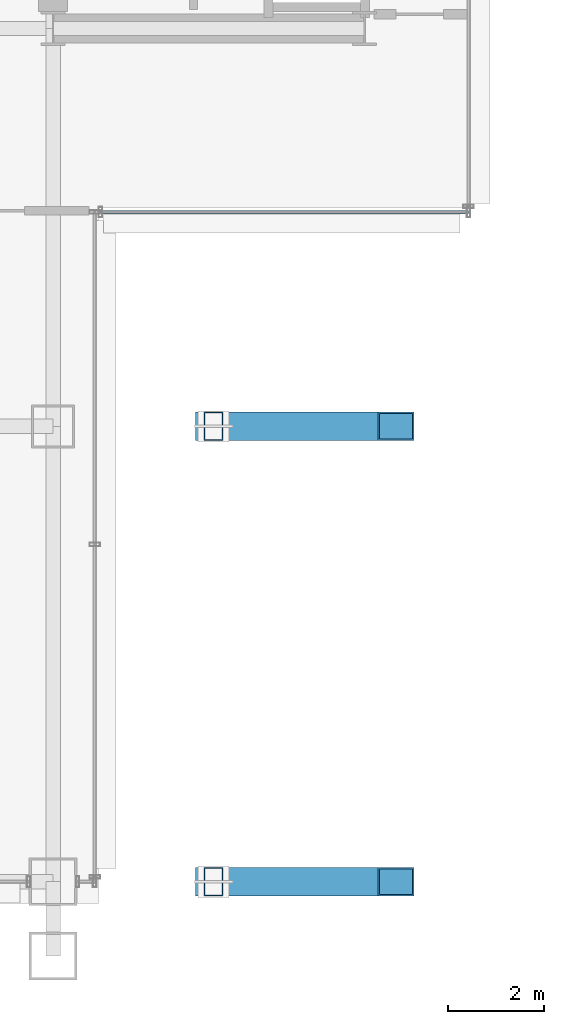
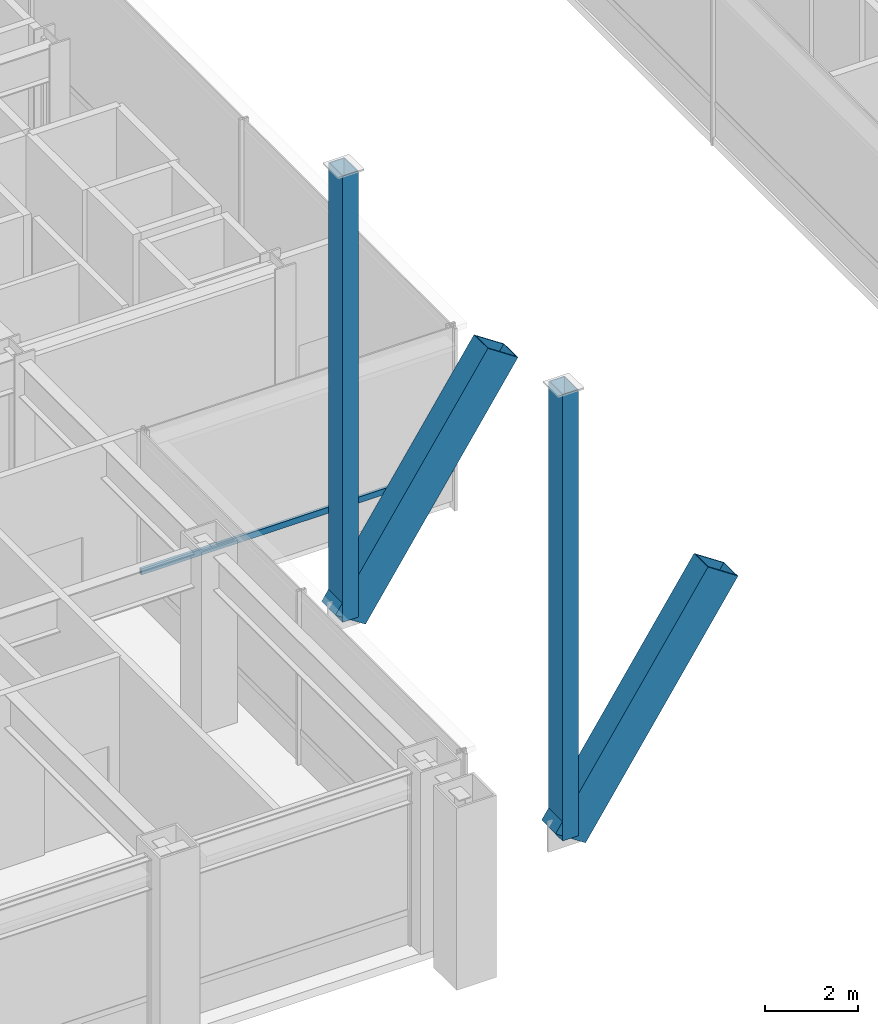
# One storey, part 4 of 40: 5 members, 1 element without a shape of its own.
"""IFC4 building model written with IfcOpenShell, lengths in metres."""

from ifc_helpers import new_model, si_unit, direction, frame, origin, origin_2d, place, context, subcontext, project, spatial, hollow_rectangle, extrude, material, layer, layer_set, material_profile, profile_set, type_object, element, aggregate, save


model = new_model("IFC4")

# Units and contexts
model_context = context("Model", 3, precision=1e-05, world=origin(), true_north=direction((0.0, 1.0)))
body_context = subcontext(model_context, "Body", "Model", "MODEL_VIEW")
ifc_project = project(units=[si_unit("LENGTHUNIT", "METRE"), si_unit("AREAUNIT", "SQUARE_METRE"), si_unit("VOLUMEUNIT", "CUBIC_METRE"), si_unit("PLANEANGLEUNIT", "RADIAN"), si_unit("MASSUNIT", "GRAM", prefix="KILO")], contexts=[model_context])

# Site, building, storey
site_placement = place(None, origin())
site = spatial("IfcSite", under=ifc_project, at=site_placement, CompositionType="ELEMENT")
building_placement = place(site_placement, origin())
building = spatial("IfcBuilding", under=site, at=building_placement, Name="Brelmoor Portico Tower", CompositionType="ELEMENT")
storey_placement = place(building_placement, frame((0.0, 0.0, 4.800048828125)))
storey = spatial("IfcBuildingStorey", under=building, at=storey_placement, Name="L01", CompositionType="ELEMENT", Elevation=4.800048828125)

# Members
ifc_material_1 = material(Name="Steel Q420B", Category="steel")
ifc_material_profile_1 = material_profile(ifc_material_1, hollow_rectangle(XDim=0.60009765625, YDim=0.89990234375, WallThickness=0.035888671875, at=origin_2d()), Name="RHS 600x900x36")
ifc_profile_set_1 = profile_set([ifc_material_profile_1], Name="Steel Q420B")
member_type_1 = type_object("IfcMemberType", Name="MB-ARCH-RIB", PredefinedType="CHORD", material=ifc_profile_set_1)
for number, where, z_axis, x_axis, name in (
    (1, (-11.199951171875, -27.550048828125, 1.599853515625), (0.554691972244, 0.0, 0.832055776933), (0.0, 1.0, 0.0), "Giant Portico Arch Rib S1-2"),
    (2, (-11.199951171875, -18.050048828125, 1.599853515625), (0.554691972244, 0.0, 0.832055776933), (0.0, 1.0, 0.0), "Giant Portico Arch Rib S2-2"),
):
    element("IfcMember", number, at=place(storey_placement, frame(where, z_axis=z_axis, x_axis=x_axis)), inside=storey, type_object=member_type_1, Name=name, PredefinedType="CHORD", context=body_context, shape_type="SweptSolid", body=[
        extrude(hollow_rectangle(XDim=0.60009765625, YDim=0.89990234375, WallThickness=0.035888671875, at=origin_2d()), origin(), (0.0, 0.0, 1.0), 6.850830078125),
    ])
ifc_material_2 = material(Name="Steel Q355B", Category="steel")
ifc_material_profile_2 = material_profile(ifc_material_2, hollow_rectangle(XDim=0.39990234375, YDim=0.60009765625, WallThickness=0.02392578125, at=origin_2d()), Name="RHS 400x600x24")
ifc_profile_set_2 = profile_set([ifc_material_profile_2], Name="Steel Q355B")
member_type_2 = type_object("IfcMemberType", Name="MB-ARCH-STRUT", PredefinedType="BRACE", material=ifc_profile_set_2)
for number, where, z_axis, x_axis, name in (
    (3, (-11.199951171875, -27.550048828125, 1.599853515625), (0.0, 0.0, 1.0), (1.0, 0.0, 0.0), "Portico Arch Spandrel Strut S1-1"),
    (4, (-11.199951171875, -18.050048828125, 1.599853515625), (0.0, 0.0, 1.0), (1.0, 0.0, 0.0), "Portico Arch Spandrel Strut S2-1"),
):
    element("IfcMember", number, at=place(storey_placement, frame(where, z_axis=z_axis, x_axis=x_axis)), inside=storey, type_object=member_type_2, Name=name, PredefinedType="BRACE", context=body_context, shape_type="SweptSolid", body=[
        extrude(hollow_rectangle(XDim=0.39990234375, YDim=0.60009765625, WallThickness=0.02392578125, at=origin_2d()), origin(), (0.0, 0.0, 1.0), 11.755126953125),
    ])

# Curtain wall, member
ifc_material_3 = material(Name="Anodised Aluminium Alloy 6063-T6", Category="aluminium")
ifc_layer = layer(ifc_material_3, 0.179931640625)
ifc_layer_set = layer_set([ifc_layer], Name="Anodised Aluminium Alloy 6063-T6")
curtain_wall_type = type_object("IfcCurtainWallType", Name="CW-PODIUM-ARCH", PredefinedType="NOTDEFINED", material=ifc_layer_set)
curtain_wall_placement = place(storey_placement, origin())
curtain_wall = element("IfcCurtainWall", 5, at=curtain_wall_placement, inside=storey, type_object=curtain_wall_type, Name="L01 Curtain Wall CW-L01-11", PredefinedType="NOTDEFINED")
ifc_material_profile_3 = material_profile(ifc_material_3, hollow_rectangle(XDim=0.070068359375, YDim=0.159912109375, WallThickness=0.00390625, at=origin_2d()), Name="ALU TRANSOM 70x160")
ifc_profile_set_3 = profile_set([ifc_material_profile_3], Name="Anodised Aluminium Alloy 6063-T6")
member_type_3 = type_object("IfcMemberType", Name="MB-CW-TRAN-160", PredefinedType="USERDEFINED", material=ifc_profile_set_3)
member_placement = place(storey_placement, frame((-13.679931640625, -13.580078125, 0.849853515625), z_axis=(1.0, 0.0, 0.0), x_axis=(0.0, 1.0, 0.0)))
member = element("IfcMember", 6, at=member_placement, type_object=member_type_3, Name="CW-L01-11 Transom 1-00", ObjectType="TRANSOM", PredefinedType="USERDEFINED", context=body_context, shape_type="SweptSolid", body=[
    extrude(hollow_rectangle(XDim=0.070068359375, YDim=0.159912109375, WallThickness=0.00390625, at=origin_2d()), origin(), (0.0, 0.0, 1.0), 7.800048828125),
])
aggregate(curtain_wall, [member])

save(model, "model.ifc")
